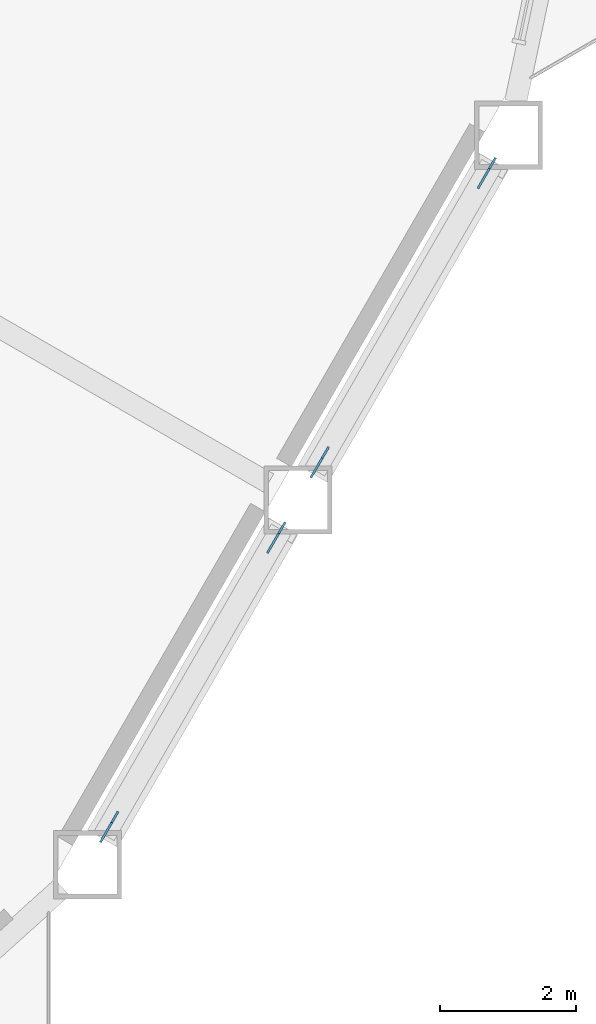
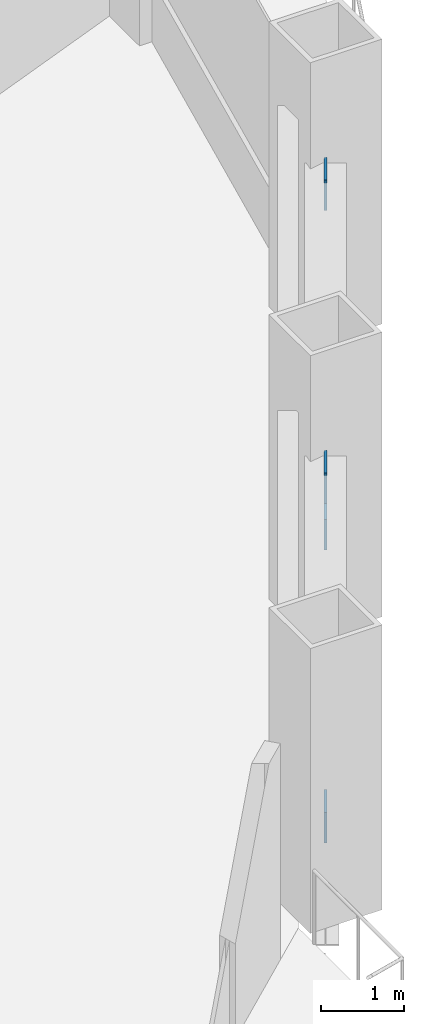
# One storey, part 15 of 21: 4 discrete accessories.
"""IFC4 building model written with IfcOpenShell, lengths in metres."""

from ifc_helpers import new_model, si_unit, direction, frame, origin, origin_2d, place, context, subcontext, project, spatial, rectangle, extrude, material, material_profile, profile_set, type_object, element, save


model = new_model("IFC4")

# Units and contexts
model_context = context("Model", 3, precision=1e-05, world=origin(), true_north=direction((0.0, 1.0)))
body_context = subcontext(model_context, "Body", "Model", "MODEL_VIEW")
ifc_project = project(units=[si_unit("LENGTHUNIT", "METRE"), si_unit("AREAUNIT", "SQUARE_METRE"), si_unit("VOLUMEUNIT", "CUBIC_METRE"), si_unit("PLANEANGLEUNIT", "RADIAN"), si_unit("MASSUNIT", "GRAM", prefix="KILO")], contexts=[model_context])

# Site, building, storey
site_placement = place(None, origin())
site = spatial("IfcSite", under=ifc_project, at=site_placement, CompositionType="ELEMENT")
building_placement = place(site_placement, origin())
building = spatial("IfcBuilding", under=site, at=building_placement, Name="Cormorant Prow Tower", CompositionType="ELEMENT")
storey_placement = place(building_placement, frame((0.0, 0.0, 42.60009765625)))
storey = spatial("IfcBuildingStorey", under=building, at=storey_placement, Name="L08", CompositionType="ELEMENT", Elevation=42.60009765625)

# Discrete accessories
ifc_material = material(Name="Structural steel ASTM A500 Gr C", Category="steel")
ifc_material_profile = material_profile(ifc_material, rectangle(XDim=0.031982421875, YDim=0.60791015625, at=origin_2d()), Name="Gusset plate 32x608")
ifc_profile_set = profile_set([ifc_material_profile], Name="Structural steel ASTM A500 Gr C")
discrete_accessory_type = type_object("IfcDiscreteAccessoryType", Name="Gusset plate 32x608", PredefinedType="BRACKET", material=ifc_profile_set)
discrete_accessory_1_placement = place(storey_placement, frame((25.232421875, -20.763427734375, 0.859130859375), z_axis=(-0.475651503409, -0.824369614413, -0.306871937683), x_axis=(0.866161185697, -0.499764745047, 0.0)))
element("IfcDiscreteAccessory", 1, at=discrete_accessory_1_placement, inside=storey, type_object=discrete_accessory_type, Name="Gusset plate GP1 L08.ESE00.g0", PredefinedType="BRACKET", context=body_context, shape_type="SweptSolid", body=[
    extrude(rectangle(XDim=0.031982421875, YDim=0.60791015625, at=origin_2d()), origin(), (0.0, 0.0, 1.0), 0.35009765625),
])
for number, where, z_axis, x_axis, name in (
    (2, (27.512939453125, -16.813232421875, 2.32958984375), (0.476464602218, 0.823872174553, 0.306946449452), (-0.865660382551, 0.500631703033, 0.0), "Gusset plate GP1 L08.ESE00.g1"),
    (3, (28.3173828125, -15.42041015625, 0.859130859375), (-0.476464602218, -0.823872174553, -0.306946449452), (0.865660382551, -0.500631703033, 0.0), "Gusset plate GP1 L08.ESE01.g0"),
):
    element("IfcDiscreteAccessory", number, at=place(storey_placement, frame(where, z_axis=z_axis, x_axis=x_axis)), inside=storey, type_object=discrete_accessory_type, Name=name, PredefinedType="BRACKET", context=body_context, shape_type="SweptSolid", body=[
        extrude(rectangle(XDim=0.031982421875, YDim=0.60791015625, at=origin_2d()), origin(), (0.0, 0.0, 1.0), 0.349853515625),
    ])
discrete_accessory_2_placement = place(storey_placement, frame((30.597900390625, -11.47021484375, 2.32958984375), z_axis=(0.475651503409, 0.824369614413, 0.306871937683), x_axis=(-0.866161185697, 0.499764745047, 0.0)))
element("IfcDiscreteAccessory", 4, at=discrete_accessory_2_placement, inside=storey, type_object=discrete_accessory_type, Name="Gusset plate GP1 L08.ESE01.g1", PredefinedType="BRACKET", context=body_context, shape_type="SweptSolid", body=[
    extrude(rectangle(XDim=0.031982421875, YDim=0.60791015625, at=origin_2d()), origin(), (0.0, 0.0, 1.0), 0.35009765625),
])

save(model, "model.ifc")
